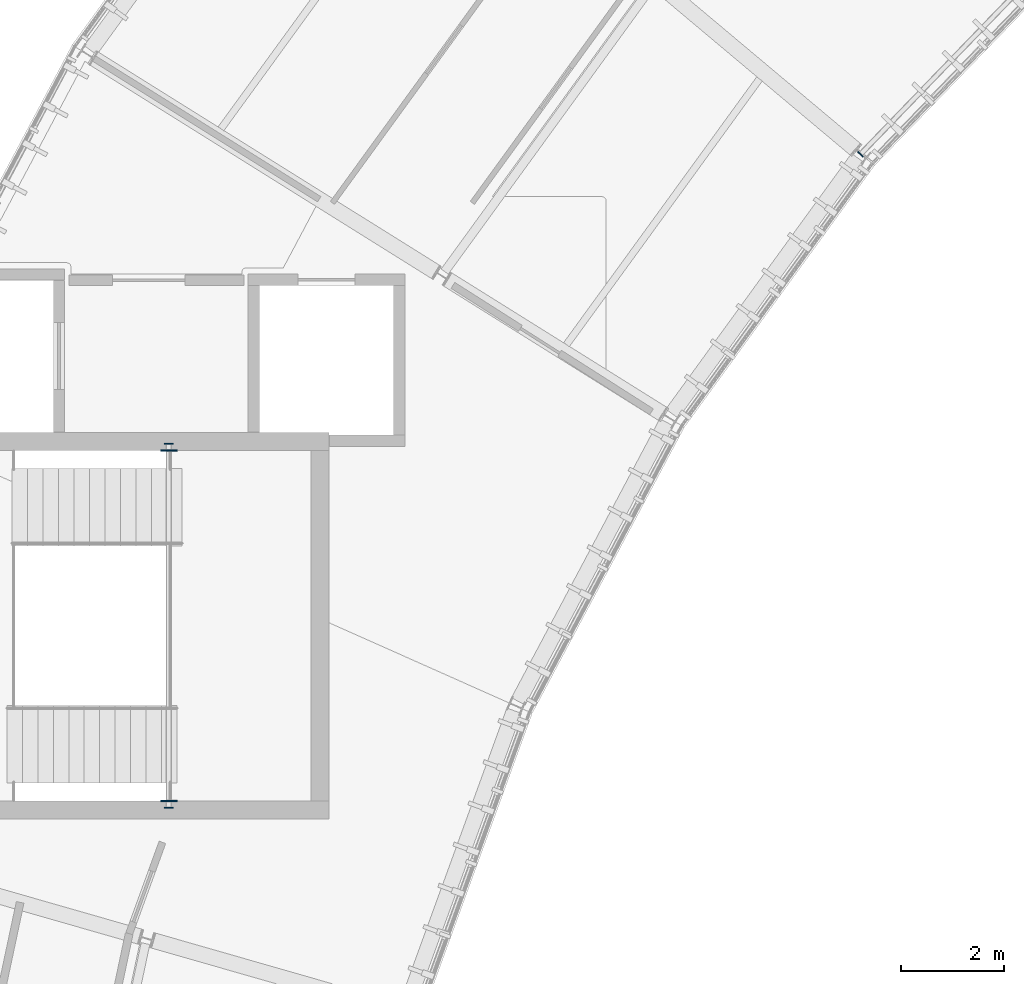
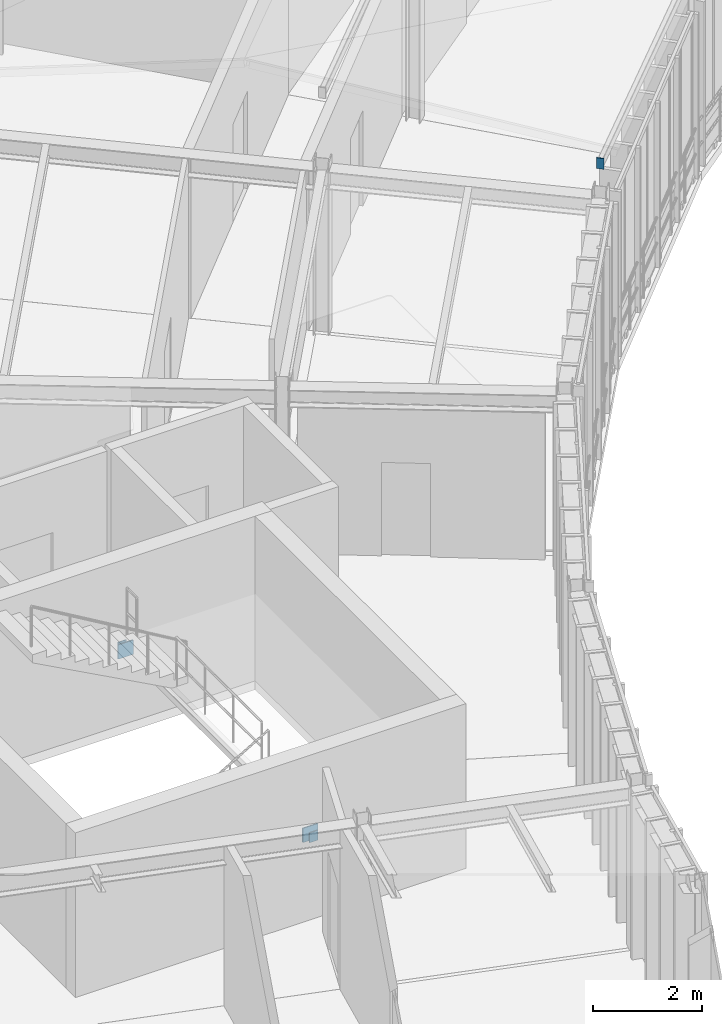
# One storey, part 14 of 25: 5 plates.
"""IFC4 building model written with IfcOpenShell, lengths in metres."""

import ifcopenshell
import ifcopenshell.guid

model = None  # the IFC model being written
_history = None  # IfcOwnerHistory: only IFC2X3 demands one
_inside = {}  # id of a spatial element -> (the spatial element, [elements in it])
_under = {}  # id of a project, library or spatial element -> (it, [spatial elements below it])
_declared = {}  # id of a project -> (the project, [libraries it declares])
_typed = {}  # id of a type object -> (the type object, [elements of that type])
_made_of = {}  # id of a material, layer set ... -> (it, [elements and type objects made of it])


def new_model(schema):
    """Start an empty IFC model of exactly this schema.

    Asked for "IFC4X3", IfcOpenShell would pick the latest addendum, in which some entities
    have other attributes; the version numbers below select the first issue.
    IFC2X3 requires an IfcOwnerHistory on every rooted entity: one is made here for all.
    """
    global model, _history
    if schema == "IFC4X3":
        model = ifcopenshell.file(schema_version=(4, 3, 0, 0))
    else:
        model = ifcopenshell.file(schema=schema)
    _inside.clear()
    _under.clear()
    _declared.clear()
    _typed.clear()
    _made_of.clear()
    _history = None
    if model.schema == "IFC2X3":
        org = make("IfcOrganization", Name="unknown")
        user = make(
            "IfcPersonAndOrganization",
            ThePerson=make("IfcPerson", FamilyName="unknown"),
            TheOrganization=org,
        )
        app = make(
            "IfcApplication",
            ApplicationDeveloper=org,
            Version="unknown",
            ApplicationFullName="unknown",
            ApplicationIdentifier="unknown",
        )
        _history = make(
            "IfcOwnerHistory",
            OwningUser=user,
            OwningApplication=app,
            ChangeAction="ADDED",
            CreationDate=0,
        )
    return model


def make(cls, **values):
    """One entity of the class cls with the attributes given. An attribute that is None is left unset."""
    return model.create_entity(
        cls, **{name: value for name, value in values.items() if value is not None}
    )


def rooted(cls, **values):
    """An entity with a GlobalId (a new one), such as an element, a storey or a relation."""
    return make(cls, GlobalId=ifcopenshell.guid.new(), OwnerHistory=_history, **values)


def si_unit(unit_type, name, prefix=None):
    """IfcSIUnit, for example si_unit("LENGTHUNIT", "METRE", prefix="MILLI")."""
    return make("IfcSIUnit", UnitType=unit_type, Prefix=prefix, Name=name)


def assignment(units):
    """IfcUnitAssignment: the units of a project."""
    return None if units is None else make("IfcUnitAssignment", Units=units)


def point(xyz):
    """IfcCartesianPoint."""
    return None if xyz is None else make("IfcCartesianPoint", Coordinates=xyz)


def direction(xyz):
    """IfcDirection."""
    return None if xyz is None else make("IfcDirection", DirectionRatios=xyz)


def frame(location, z_axis=None, x_axis=None):
    """IfcAxis2Placement3D, a coordinate frame: its origin and axes. An axis left out is left unset."""
    return make(
        "IfcAxis2Placement3D",
        Location=point(location),
        Axis=direction(z_axis),
        RefDirection=direction(x_axis),
    )


def frame_2d(location, x_axis=None):
    """IfcAxis2Placement2D, a coordinate frame in the plane: its origin and x axis."""
    return make(
        "IfcAxis2Placement2D", Location=point(location), RefDirection=direction(x_axis)
    )


def origin():
    """The frame at (0, 0, 0) with its axes left unset."""
    return frame((0.0, 0.0, 0.0))


def origin_2d():
    """The frame at (0, 0) in the plane with its x axis left unset."""
    return frame_2d((0.0, 0.0))


def place(relative_to, where):
    """IfcLocalPlacement: puts the frame where relative to a parent placement (None: the world)."""
    return make(
        "IfcLocalPlacement", PlacementRelTo=relative_to, RelativePlacement=where
    )


def context(
    kind, dimensions, precision=None, world=None, true_north=None, identifier=None
):
    """IfcGeometricRepresentationContext, for example the 3D "Model" context."""
    return make(
        "IfcGeometricRepresentationContext",
        ContextIdentifier=identifier,
        ContextType=kind,
        CoordinateSpaceDimension=dimensions,
        Precision=precision,
        WorldCoordinateSystem=world,
        TrueNorth=true_north,
    )


def subcontext(parent, identifier, kind, view, scale=None):
    """IfcGeometricRepresentationSubContext, for example "Body" below "Model"."""
    return make(
        "IfcGeometricRepresentationSubContext",
        ContextIdentifier=identifier,
        ContextType=kind,
        ParentContext=parent,
        TargetScale=scale,
        TargetView=view,
    )


def project(units=None, contexts=None):
    """IfcProject with its units and contexts."""
    return rooted(
        "IfcProject",
        Name="project",
        RepresentationContexts=contexts,
        UnitsInContext=assignment(units),
    )


def spatial(cls, under=None, at=None, **own):
    """A site, building, storey or space (cls), placed at a placement, below another one or the project."""
    s = rooted(cls, ObjectPlacement=at, **own)
    if under is not None:
        _under.setdefault(under.id(), (under, []))[1].append(s)
    return s


def profile(cls, at=None, kind="AREA", **sizes):
    """A parametric profile (cls). Its sizes go by their IFC names, for example OverallWidth=200.0."""
    return make(cls, ProfileType=kind, Position=at, **sizes)


def rectangle(**sizes):
    """IfcRectangleProfileDef."""
    return profile("IfcRectangleProfileDef", **sizes)


def extrude(swept, where, along, depth):
    """IfcExtrudedAreaSolid: the profile swept, set in the frame where, extruded along a direction by depth."""
    return make(
        "IfcExtrudedAreaSolid",
        SweptArea=swept,
        Position=where,
        ExtrudedDirection=direction(along),
        Depth=depth,
    )


def shape(context_of_items, identifier, shape_type, items):
    """IfcShapeRepresentation: the items that make up one representation, for example the "Body"."""
    return make(
        "IfcShapeRepresentation",
        ContextOfItems=context_of_items,
        RepresentationIdentifier=identifier,
        RepresentationType=shape_type,
        Items=items,
    )


def material(Name=None, Category=None):
    """IfcMaterial."""
    return make("IfcMaterial", Name=Name, Category=Category)


def layer(
    of_material, thickness, ventilated=None, Name=None, Category=None, Priority=None
):
    """IfcMaterialLayer: one layer of a wall or slab, of a material (None: an air gap)."""
    return make(
        "IfcMaterialLayer",
        Material=of_material,
        LayerThickness=thickness,
        IsVentilated=ventilated,
        Name=Name,
        Category=Category,
        Priority=Priority,
    )


def layer_set(layers, Name=None):
    """IfcMaterialLayerSet."""
    return make("IfcMaterialLayerSet", MaterialLayers=layers, LayerSetName=Name)


def made_of(thing, what):
    """Note that an element or type object is made of a material, layer set ...; save() writes the relation."""
    if what is not None:
        _made_of.setdefault(what.id(), (what, []))[1].append(thing)
    return thing


def type_object(cls, material=None, **own):
    """A type object (cls), such as IfcWallType, which elements share."""
    return made_of(rooted(cls, **own), material)


def element(
    cls,
    number,
    at=None,
    inside=None,
    cuts=None,
    type_object=None,
    material=None,
    context=None,
    identifier="Body",
    shape_type=None,
    held_by="IfcProductDefinitionShape",
    body=None,
    shapes=None,
    **own,
):
    """One element of the class cls, such as IfcWall. Its Tag is "e" and its number.

    at: its placement. inside: the storey or other place that contains it. cuts: it is an
    opening in that element (IfcRelVoidsElement). A single representation is given by context,
    identifier, shape_type and body (its items); several are given by shapes. held_by: the class
    of the entity that holds the representations. save() writes the other relations.
    """
    e = rooted(cls, Tag="e%d" % number, ObjectPlacement=at, **own)
    if body is not None:
        shapes = [shape(context, identifier, shape_type, body)]
    if shapes is not None:
        e.Representation = make(held_by, Representations=shapes)
    if inside is not None:
        _inside.setdefault(inside.id(), (inside, []))[1].append(e)
    if cuts is not None:
        rooted(
            "IfcRelVoidsElement", RelatingBuildingElement=cuts, RelatedOpeningElement=e
        )
    if type_object is not None:
        _typed.setdefault(type_object.id(), (type_object, []))[1].append(e)
    return made_of(e, material)


def aggregate(whole, parts):
    """IfcRelAggregates: a whole, such as a stair, and the parts it consists of."""
    return rooted("IfcRelAggregates", RelatingObject=whole, RelatedObjects=parts)


def save(model, path):
    """Write the relations noted so far, then the file.

    IfcRelAggregates (storeys below a building ...), IfcRelContainedInSpatialStructure (elements
    in a storey), IfcRelDefinesByType, IfcRelAssociatesMaterial and IfcRelDeclares: one each for
    every whole, place, type object, material and project.
    """
    for whole, parts in _under.values():
        aggregate(whole, parts)
    for where, things in _inside.values():
        rooted(
            "IfcRelContainedInSpatialStructure",
            RelatedElements=things,
            RelatingStructure=where,
        )
    for kind, things in _typed.values():
        rooted("IfcRelDefinesByType", RelatedObjects=things, RelatingType=kind)
    for what, things in _made_of.values():
        rooted("IfcRelAssociatesMaterial", RelatedObjects=things, RelatingMaterial=what)
    for by, libraries in _declared.values():
        rooted("IfcRelDeclares", RelatingContext=by, RelatedDefinitions=libraries)
    model.write(path)


model = new_model("IFC4")

# Units and contexts
model_context = context("Model", 3, precision=1e-05, world=origin(), true_north=direction((0.0, 1.0)))
body_context = subcontext(model_context, "Body", "Model", "MODEL_VIEW")
ifc_project = project(units=[si_unit("LENGTHUNIT", "METRE"), si_unit("AREAUNIT", "SQUARE_METRE"), si_unit("VOLUMEUNIT", "CUBIC_METRE"), si_unit("PLANEANGLEUNIT", "RADIAN"), si_unit("MASSUNIT", "GRAM", prefix="KILO"), si_unit("THERMODYNAMICTEMPERATUREUNIT", "KELVIN"), si_unit("POWERUNIT", "WATT")], contexts=[model_context])

# Site, building, storey
site_placement = place(None, origin())
site = spatial("IfcSite", under=ifc_project, at=site_placement, CompositionType="ELEMENT")
building_placement = place(site_placement, origin())
building = spatial("IfcBuilding", under=site, at=building_placement, Name="Solvatero Civic Police Headquarters", CompositionType="ELEMENT")
storey_placement = place(building_placement, frame((0.0, 0.0, 25.5)))
storey = spatial("IfcBuildingStorey", under=building, at=storey_placement, Name="L06", CompositionType="ELEMENT", Elevation=25.5)

# Plates
ifc_material = material(Name="Steel S355", Category="steel")
ifc_layer_1 = layer(ifc_material, 0.02001953125)
ifc_layer_set_1 = layer_set([ifc_layer_1], Name="Steel S355")
plate_type_1 = type_object("IfcPlateType", Name="PLT-CAP-20", PredefinedType="SHEET", material=ifc_layer_set_1)
plate_placement = place(storey_placement, frame((59.2529296875, 55.143310546875, 4.2998046875), z_axis=(0.0, 0.0, 1.0), x_axis=(-0.694658370459, -0.719339800339, 0.0)))
element("IfcPlate", 1, at=plate_placement, inside=storey, type_object=plate_type_1, Name="Hollow Section End Cap Plate 0208", PredefinedType="SHEET", context=body_context, shape_type="SweptSolid", body=[
    extrude(rectangle(XDim=0.02001953125, YDim=0.139892578125, at=origin_2d()), origin(), (0.0, 0.0, 1.0), 0.239990234375),
])
for number, where, z_axis, x_axis, name in (
    (2, (45.840087890625, 42.469970703125, 1.56494140625), (0.0, 0.0, 1.0), (1.0, 0.0, 0.0), "Hollow Section Cap Plate 0035"),
    (3, (45.840087890625, 49.530029296875, 1.56494140625), (0.0, 0.0, 1.0), (1.0, 0.0, 0.0), "Hollow Section Cap Plate 0036"),
):
    element("IfcPlate", number, at=place(storey_placement, frame(where, z_axis=z_axis, x_axis=x_axis)), inside=storey, type_object=plate_type_1, Name=name, PredefinedType="SHEET", context=body_context, shape_type="SweptSolid", body=[
        extrude(rectangle(XDim=0.179931640625, YDim=0.02001953125, at=origin_2d()), origin(), (0.0, 0.0, 1.0), 0.219970703125),
    ])
ifc_layer_2 = layer(ifc_material, 0.02490234375)
ifc_layer_set_2 = layer_set([ifc_layer_2], Name="Steel S355")
plate_type_2 = type_object("IfcPlateType", Name="PLT-EMB-25", PredefinedType="SHEET", material=ifc_layer_set_2)
for number, where, z_axis, x_axis, name in (
    (4, (45.840087890625, 42.60009765625, 1.51513671875), (0.0, 0.0, 1.0), (1.0, 0.0, 0.0), "Cast-In Shear Wall Embed Plate 0035"),
    (5, (45.840087890625, 49.39990234375, 1.51513671875), (0.0, 0.0, 1.0), (1.0, 0.0, 0.0), "Cast-In Shear Wall Embed Plate 0036"),
):
    element("IfcPlate", number, at=place(storey_placement, frame(where, z_axis=z_axis, x_axis=x_axis)), inside=storey, type_object=plate_type_2, Name=name, PredefinedType="SHEET", context=body_context, shape_type="SweptSolid", body=[
        extrude(rectangle(XDim=0.320068359375, YDim=0.02490234375, at=origin_2d()), origin(), (0.0, 0.0, 1.0), 0.320068359375),
    ])

save(model, "model.ifc")
